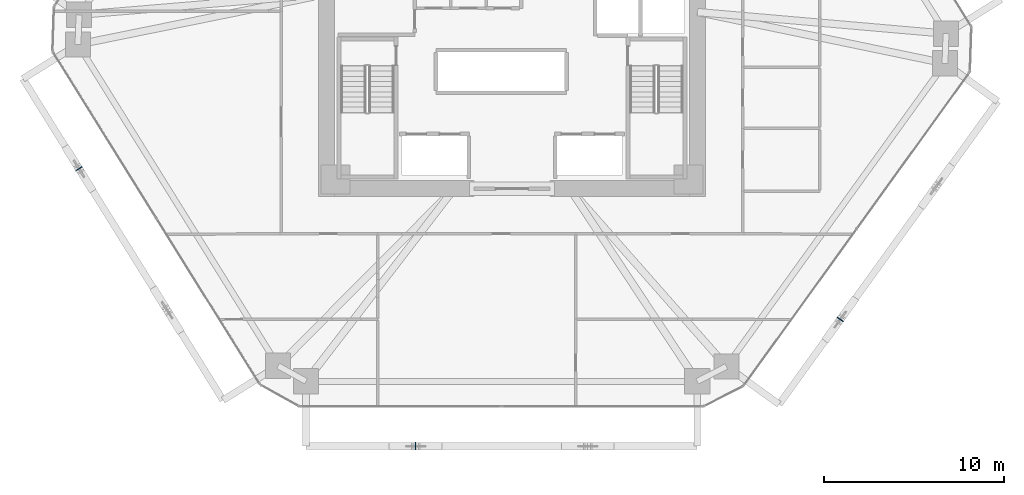
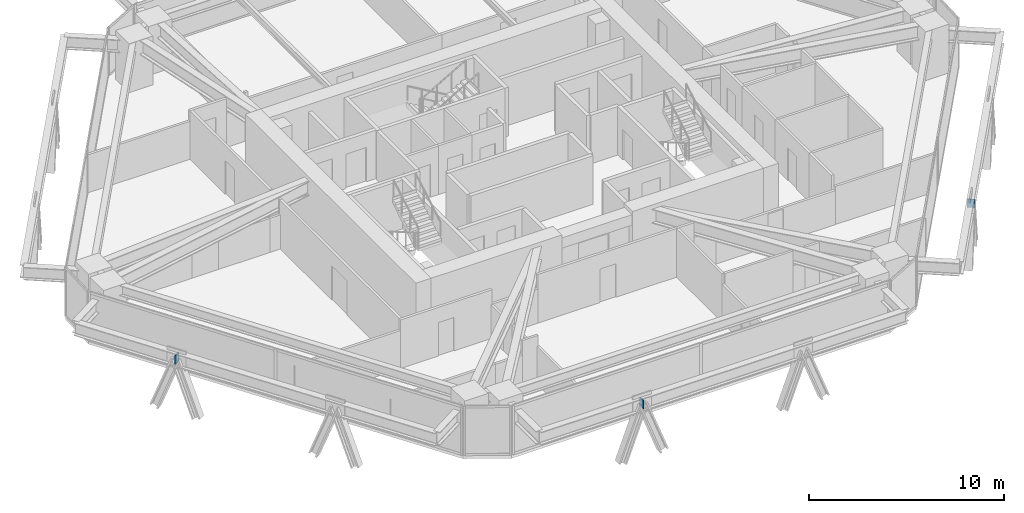
# One storey, part 11 of 17: 3 plates.
"""IFC4 building model written with IfcOpenShell, lengths in metres."""

from ifc_helpers import new_model, si_unit, direction, frame, origin, origin_2d, place, context, subcontext, project, spatial, rectangle, extrude, source, transform, mapped, material, layer, layer_set, type_object, type_shapes, element, save


model = new_model("IFC4")

# Units and contexts
model_context = context("Model", 3, precision=1e-05, world=origin(), true_north=direction((0.0, 1.0)))
body_context = subcontext(model_context, "Body", "Model", "MODEL_VIEW")
ifc_project = project(units=[si_unit("LENGTHUNIT", "METRE"), si_unit("AREAUNIT", "SQUARE_METRE"), si_unit("VOLUMEUNIT", "CUBIC_METRE"), si_unit("PLANEANGLEUNIT", "RADIAN"), si_unit("MASSUNIT", "GRAM", prefix="KILO")], contexts=[model_context])

# Site, building, storey
site_placement = place(None, origin())
site = spatial("IfcSite", under=ifc_project, at=site_placement, CompositionType="ELEMENT")
building_placement = place(site_placement, origin())
building = spatial("IfcBuilding", under=site, at=building_placement, Name="Durnholm Broadcast Tower", CompositionType="ELEMENT")
storey_placement = place(building_placement, frame((0.0, 0.0, 52.199951171875)))
storey = spatial("IfcBuildingStorey", under=building, at=storey_placement, Name="L12", CompositionType="ELEMENT", Elevation=52.199951171875)

# Plates
ifc_material = material(Name="Steel ASTM A572 Grade 50", Category="steel")
ifc_layer = layer(ifc_material, 0.044921875)
ifc_layer_set = layer_set([ifc_layer], Name="Steel ASTM A572 Grade 50")
plate_type = type_object("IfcPlateType", Name="PLT-KN-STIF", PredefinedType="SHEET", material=ifc_layer_set)
shared_shape = source(origin(), body_context, "Body", "SweptSolid", [
    extrude(rectangle(XDim=0.044921875, YDim=0.419921875, at=origin_2d()), origin(), (0.0, 0.0, 1.0), 0.52001953125),
])
type_shapes(plate_type, [shared_shape])
for number, where, z_axis, x_axis, name in (
    (1, (-5.351318359375, -22.60009765625, 2.048583984375), (0.0, 0.0, 1.0), (1.0, 0.0, 0.0), "L12 welded diagrid node stiffener plate F1"),
    (2, (18.223388671875, -15.56396484375, 2.048583984375), (0.0, 0.0, 1.0), (0.584816108738, 0.81116590101, 0.0), "L12 welded diagrid node stiffener plate F2"),
    (3, (-24.036376953125, -7.197509765625, 2.048583984375), (0.0, 0.0, 1.0), (0.528586500185, -0.848879444811, 0.0), "L12 welded diagrid node stiffener plate F6"),
):
    element("IfcPlate", number, at=place(storey_placement, frame(where, z_axis=z_axis, x_axis=x_axis)), inside=storey, type_object=plate_type, Name=name, PredefinedType="SHEET", context=body_context, shape_type="MappedRepresentation", body=[
        mapped(shared_shape, transform((0.0, 0.0, 0.0), x_axis=(1.0, 0.0, 0.0), y_axis=(0.0, 1.0, 0.0), z_axis=(0.0, 0.0, 1.0), scale=1.0)),
    ])

save(model, "model.ifc")
